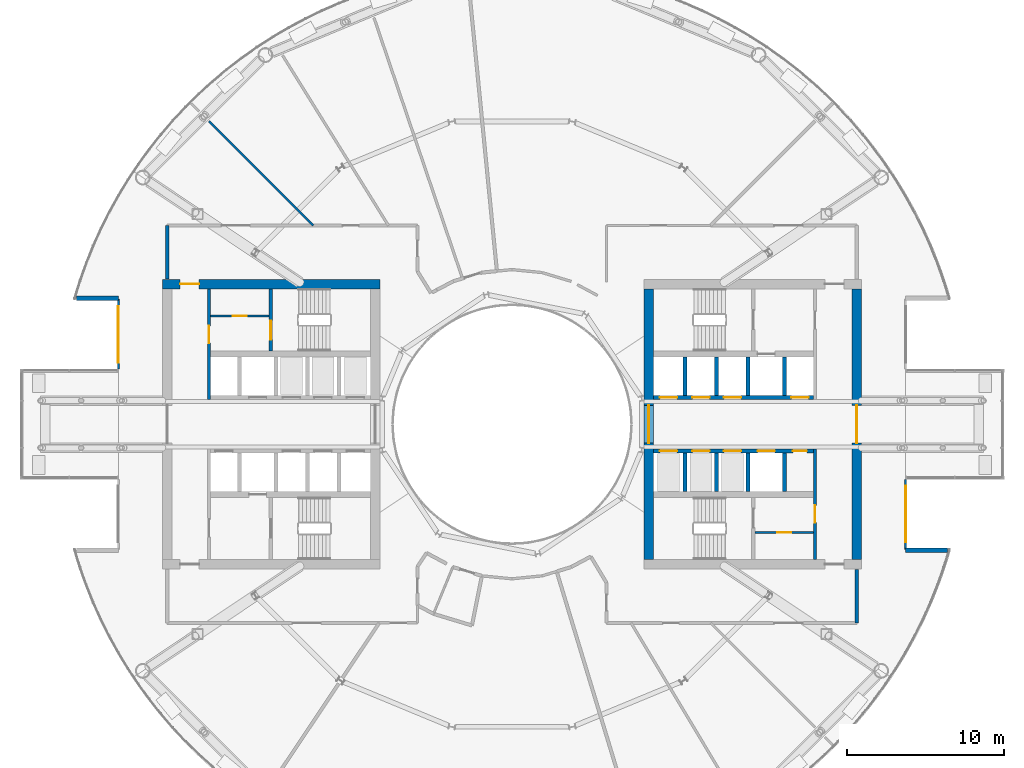
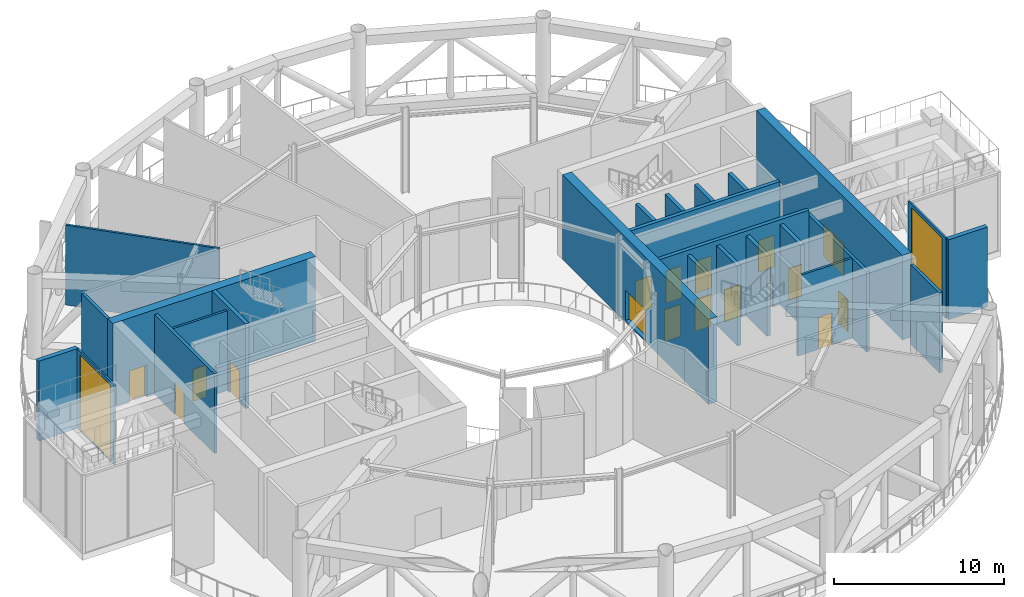
# One storey, part 14 of 25: 25 walls, 16 doors, 3 windows, 19 openings.
"""IFC4 building model written with IfcOpenShell, lengths in metres."""

from ifc_helpers import new_model, si_unit, direction, frame, frame_2d, origin, place, context, subcontext, project, spatial, rectangle, extrude, material, layer, layer_set, type_object, element, fill, save


model = new_model("IFC4")

# Units and contexts
model_context = context("Model", 3, precision=1e-05, world=origin(), true_north=direction((0.0, 1.0)))
body_context = subcontext(model_context, "Body", "Model", "MODEL_VIEW")
ifc_project = project(units=[si_unit("LENGTHUNIT", "METRE"), si_unit("AREAUNIT", "SQUARE_METRE"), si_unit("VOLUMEUNIT", "CUBIC_METRE"), si_unit("PLANEANGLEUNIT", "RADIAN"), si_unit("MASSUNIT", "GRAM", prefix="KILO")], contexts=[model_context])

# Site, building, storey
site_placement = place(None, origin())
site = spatial("IfcSite", under=ifc_project, at=site_placement, CompositionType="ELEMENT")
building_placement = place(site_placement, origin())
building = spatial("IfcBuilding", under=site, at=building_placement, Name="Maasbend Ring Residences", CompositionType="ELEMENT")
storey_placement = place(building_placement, frame((0.0, 0.0, 139.10009765625)))
storey = spatial("IfcBuildingStorey", under=building, at=storey_placement, Name="L40", CompositionType="ELEMENT", Elevation=139.10009765625)

# Wall, openings, doors
ifc_material_1 = material(Name="Concrete C60/75", Category="concrete")
ifc_layer_1 = layer(ifc_material_1, 0.25)
ifc_layer_set_1 = layer_set([ifc_layer_1], Name="Concrete C60/75")
wall_type_1 = type_object("IfcWallType", Name="CORE WALL 250 C60/75", PredefinedType="SHEAR", material=ifc_layer_set_1)
wall_1_placement = place(storey_placement, frame((9.0, 1.699951171875, 0.0), z_axis=(0.0, 0.0, 1.0), x_axis=(1.0, 0.0, 0.0)))
wall_1 = element("IfcWall", 1, at=wall_1_placement, inside=storey, type_object=wall_type_1, Name="L40 core E wall SPN", PredefinedType="SHEAR", context=body_context, shape_type="SweptSolid", body=[
    extrude(rectangle(XDim=10.14990234375, YDim=0.25, at=frame_2d((5.074951171875, 0.0))), origin(), (0.0, 0.0, 1.0), 6.099853515625),
])
opening_1_placement = place(wall_1_placement, frame((0.387451171875, 0.0, 0.0)))
opening_1 = element("IfcOpeningElement", 2, at=opening_1_placement, cuts=wall_1, Name="Opening LD-E4001", PredefinedType="OPENING", context=body_context, shape_type="SweptSolid", body=[
    extrude(rectangle(XDim=1.10009765625, YDim=2.300048828125, at=frame_2d((0.550048828125, 1.14990234375))), frame((0.0, 0.135009765625, 0.0), z_axis=(0.0, -1.0, 0.0), x_axis=(1.0, 0.0, 0.0)), (0.0, 0.0, 1.0), 0.27001953125),
])
opening_2_placement = place(wall_1_placement, frame((2.449951171875, 0.0, 0.0)))
opening_2 = element("IfcOpeningElement", 3, at=opening_2_placement, cuts=wall_1, Name="Opening LD-E4002", PredefinedType="OPENING", context=body_context, shape_type="SweptSolid", body=[
    extrude(rectangle(XDim=1.10009765625, YDim=2.300048828125, at=frame_2d((0.550048828125, 1.14990234375))), frame((0.0, 0.135009765625, 0.0), z_axis=(0.0, -1.0, 0.0), x_axis=(1.0, 0.0, 0.0)), (0.0, 0.0, 1.0), 0.27001953125),
])
opening_3_placement = place(wall_1_placement, frame((4.449951171875, 0.0, 0.0)))
opening_3 = element("IfcOpeningElement", 4, at=opening_3_placement, cuts=wall_1, Name="Opening LD-E4003", PredefinedType="OPENING", context=body_context, shape_type="SweptSolid", body=[
    extrude(rectangle(XDim=1.10009765625, YDim=2.300048828125, at=frame_2d((0.550048828125, 1.14990234375))), frame((0.0, 0.135009765625, 0.0), z_axis=(0.0, -1.0, 0.0), x_axis=(1.0, 0.0, 0.0)), (0.0, 0.0, 1.0), 0.27001953125),
])
opening_4_placement = place(wall_1_placement, frame((8.737548828125, 0.0, 0.0)))
opening_4 = element("IfcOpeningElement", 5, at=opening_4_placement, cuts=wall_1, Name="Opening LD-E4005", PredefinedType="OPENING", context=body_context, shape_type="SweptSolid", body=[
    extrude(rectangle(XDim=1.10009765625, YDim=2.300048828125, at=frame_2d((0.550048828125, 1.14990234375))), frame((0.0, 0.135009765625, 0.0), z_axis=(0.0, -1.0, 0.0), x_axis=(1.0, 0.0, 0.0)), (0.0, 0.0, 1.0), 0.27001953125),
])
ifc_material_2 = material(Name="Stainless steel 316", Category="steel")
door_type_1 = type_object("IfcDoorType", Name="LANDING DOOR 1100 X 2300 FD60", OperationType="DOUBLE_DOOR_SLIDING", PredefinedType="DOOR", material=ifc_material_2)
door_1_placement = place(opening_1_placement, origin())
door_1 = element("IfcDoor", 6, at=door_1_placement, inside=storey, type_object=door_type_1, Name="Landing door LR-E1 L40", OperationType="DOUBLE_DOOR_SLIDING", OverallHeight=2.300048828125, OverallWidth=1.10009765625, PredefinedType="DOOR", context=body_context, shape_type="SweptSolid", body=[
    extrude(rectangle(XDim=1.10009765625, YDim=2.300048828125, at=frame_2d((0.550048828125, 1.14990234375))), frame((0.0, 0.02490234375, 0.0), z_axis=(0.0, -1.0, 0.0), x_axis=(1.0, 0.0, 0.0)), (0.0, 0.0, 1.0), 0.050048828125),
])
fill(opening_1, door_1)
door_2_placement = place(opening_2_placement, origin())
door_2 = element("IfcDoor", 7, at=door_2_placement, inside=storey, type_object=door_type_1, Name="Landing door LR-E2 L40", OperationType="DOUBLE_DOOR_SLIDING", OverallHeight=2.300048828125, OverallWidth=1.10009765625, PredefinedType="DOOR", context=body_context, shape_type="SweptSolid", body=[
    extrude(rectangle(XDim=1.10009765625, YDim=2.300048828125, at=frame_2d((0.550048828125, 1.14990234375))), frame((0.0, 0.02490234375, 0.0), z_axis=(0.0, -1.0, 0.0), x_axis=(1.0, 0.0, 0.0)), (0.0, 0.0, 1.0), 0.050048828125),
])
fill(opening_2, door_2)
door_3_placement = place(opening_3_placement, origin())
door_3 = element("IfcDoor", 8, at=door_3_placement, inside=storey, type_object=door_type_1, Name="Landing door LR-E3 L40", OperationType="DOUBLE_DOOR_SLIDING", OverallHeight=2.300048828125, OverallWidth=1.10009765625, PredefinedType="DOOR", context=body_context, shape_type="SweptSolid", body=[
    extrude(rectangle(XDim=1.10009765625, YDim=2.300048828125, at=frame_2d((0.550048828125, 1.14990234375))), frame((0.0, 0.02490234375, 0.0), z_axis=(0.0, -1.0, 0.0), x_axis=(1.0, 0.0, 0.0)), (0.0, 0.0, 1.0), 0.050048828125),
])
fill(opening_3, door_3)
door_4_placement = place(opening_4_placement, origin())
door_4 = element("IfcDoor", 9, at=door_4_placement, inside=storey, type_object=door_type_1, Name="Landing door SH-E L40", OperationType="DOUBLE_DOOR_SLIDING", OverallHeight=2.300048828125, OverallWidth=1.10009765625, PredefinedType="DOOR", context=body_context, shape_type="SweptSolid", body=[
    extrude(rectangle(XDim=1.10009765625, YDim=2.300048828125, at=frame_2d((0.550048828125, 1.14990234375))), frame((0.0, 0.02490234375, 0.0), z_axis=(0.0, -1.0, 0.0), x_axis=(1.0, 0.0, 0.0)), (0.0, 0.0, 1.0), 0.050048828125),
])
fill(opening_4, door_4)

wall_2_placement = place(storey_placement, frame((19.14990234375, -1.699951171875, 0.0), z_axis=(0.0, 0.0, 1.0), x_axis=(-1.0, 0.0, 0.0)))
wall_2 = element("IfcWall", 10, at=wall_2_placement, inside=storey, type_object=wall_type_1, Name="L40 core E wall SPS", PredefinedType="SHEAR", context=body_context, shape_type="SweptSolid", body=[
    extrude(rectangle(XDim=10.14990234375, YDim=0.25, at=frame_2d((5.074951171875, 0.0))), origin(), (0.0, 0.0, 1.0), 6.099853515625),
])
opening_5_placement = place(wall_2_placement, frame((8.66259765625, 0.0, 0.0)))
opening_5 = element("IfcOpeningElement", 11, at=opening_5_placement, cuts=wall_2, Name="Opening LD-E4006", PredefinedType="OPENING", context=body_context, shape_type="SweptSolid", body=[
    extrude(rectangle(XDim=1.10009765625, YDim=2.300048828125, at=frame_2d((0.550048828125, 1.14990234375))), frame((0.0, 0.135009765625, 0.0), z_axis=(0.0, -1.0, 0.0), x_axis=(1.0, 0.0, 0.0)), (0.0, 0.0, 1.0), 0.27001953125),
])
opening_6_placement = place(wall_2_placement, frame((6.60009765625, 0.0, 0.0)))
opening_6 = element("IfcOpeningElement", 12, at=opening_6_placement, cuts=wall_2, Name="Opening LD-E4007", PredefinedType="OPENING", context=body_context, shape_type="SweptSolid", body=[
    extrude(rectangle(XDim=1.10009765625, YDim=2.300048828125, at=frame_2d((0.550048828125, 1.14990234375))), frame((0.0, 0.135009765625, 0.0), z_axis=(0.0, -1.0, 0.0), x_axis=(1.0, 0.0, 0.0)), (0.0, 0.0, 1.0), 0.27001953125),
])
opening_7_placement = place(wall_2_placement, frame((4.60009765625, 0.0, 0.0)))
opening_7 = element("IfcOpeningElement", 13, at=opening_7_placement, cuts=wall_2, Name="Opening LD-E4008", PredefinedType="OPENING", context=body_context, shape_type="SweptSolid", body=[
    extrude(rectangle(XDim=1.10009765625, YDim=2.300048828125, at=frame_2d((0.550048828125, 1.14990234375))), frame((0.0, 0.135009765625, 0.0), z_axis=(0.0, -1.0, 0.0), x_axis=(1.0, 0.0, 0.0)), (0.0, 0.0, 1.0), 0.27001953125),
])
opening_8_placement = place(wall_2_placement, frame((2.449951171875, 0.0, 0.0)))
opening_8 = element("IfcOpeningElement", 14, at=opening_8_placement, cuts=wall_2, Name="Opening LD-E4009", PredefinedType="OPENING", context=body_context, shape_type="SweptSolid", body=[
    extrude(rectangle(XDim=1.10009765625, YDim=2.300048828125, at=frame_2d((0.550048828125, 1.14990234375))), frame((0.0, 0.135009765625, 0.0), z_axis=(0.0, -1.0, 0.0), x_axis=(1.0, 0.0, 0.0)), (0.0, 0.0, 1.0), 0.27001953125),
])
opening_9_placement = place(wall_2_placement, frame((0.41259765625, 0.0, 0.0)))
opening_9 = element("IfcOpeningElement", 15, at=opening_9_placement, cuts=wall_2, Name="Opening D-E4010", PredefinedType="OPENING", context=body_context, shape_type="SweptSolid", body=[
    extrude(rectangle(XDim=0.89990234375, YDim=2.300048828125, at=frame_2d((0.449951171875, 1.14990234375))), frame((0.0, 0.135009765625, 0.0), z_axis=(0.0, -1.0, 0.0), x_axis=(1.0, 0.0, 0.0)), (0.0, 0.0, 1.0), 0.27001953125),
])
door_5_placement = place(opening_5_placement, origin())
door_5 = element("IfcDoor", 16, at=door_5_placement, inside=storey, type_object=door_type_1, Name="Landing door HR-E1 L40", OperationType="DOUBLE_DOOR_SLIDING", OverallHeight=2.300048828125, OverallWidth=1.10009765625, PredefinedType="DOOR", context=body_context, shape_type="SweptSolid", body=[
    extrude(rectangle(XDim=1.10009765625, YDim=2.300048828125, at=frame_2d((0.550048828125, 1.14990234375))), frame((0.0, 0.02490234375, 0.0), z_axis=(0.0, -1.0, 0.0), x_axis=(1.0, 0.0, 0.0)), (0.0, 0.0, 1.0), 0.050048828125),
])
fill(opening_5, door_5)
door_6_placement = place(opening_6_placement, origin())
door_6 = element("IfcDoor", 17, at=door_6_placement, inside=storey, type_object=door_type_1, Name="Landing door HR-E2 L40", OperationType="DOUBLE_DOOR_SLIDING", OverallHeight=2.300048828125, OverallWidth=1.10009765625, PredefinedType="DOOR", context=body_context, shape_type="SweptSolid", body=[
    extrude(rectangle(XDim=1.10009765625, YDim=2.300048828125, at=frame_2d((0.550048828125, 1.14990234375))), frame((0.0, 0.02490234375, 0.0), z_axis=(0.0, -1.0, 0.0), x_axis=(1.0, 0.0, 0.0)), (0.0, 0.0, 1.0), 0.050048828125),
])
fill(opening_6, door_6)
door_7_placement = place(opening_7_placement, origin())
door_7 = element("IfcDoor", 18, at=door_7_placement, inside=storey, type_object=door_type_1, Name="Landing door HR-E3 L40", OperationType="DOUBLE_DOOR_SLIDING", OverallHeight=2.300048828125, OverallWidth=1.10009765625, PredefinedType="DOOR", context=body_context, shape_type="SweptSolid", body=[
    extrude(rectangle(XDim=1.10009765625, YDim=2.300048828125, at=frame_2d((0.550048828125, 1.14990234375))), frame((0.0, 0.02490234375, 0.0), z_axis=(0.0, -1.0, 0.0), x_axis=(1.0, 0.0, 0.0)), (0.0, 0.0, 1.0), 0.050048828125),
])
fill(opening_7, door_7)
door_8_placement = place(opening_8_placement, origin())
door_8 = element("IfcDoor", 19, at=door_8_placement, inside=storey, type_object=door_type_1, Name="Landing door SV-E L40", OperationType="DOUBLE_DOOR_SLIDING", OverallHeight=2.300048828125, OverallWidth=1.10009765625, PredefinedType="DOOR", context=body_context, shape_type="SweptSolid", body=[
    extrude(rectangle(XDim=1.10009765625, YDim=2.300048828125, at=frame_2d((0.550048828125, 1.14990234375))), frame((0.0, 0.02490234375, 0.0), z_axis=(0.0, -1.0, 0.0), x_axis=(1.0, 0.0, 0.0)), (0.0, 0.0, 1.0), 0.050048828125),
])
fill(opening_8, door_8)
ifc_material_3 = material(Name="Steel, powder coated", Category="steel")
door_type_2 = type_object("IfcDoorType", Name="ROOM DOOR 900 X 2300 FD30S", OperationType="NOTDEFINED", PredefinedType="DOOR", material=ifc_material_3)
door_9_placement = place(opening_9_placement, origin())
door_9 = element("IfcDoor", 20, at=door_9_placement, inside=storey, type_object=door_type_2, Name="Room door L40", OperationType="SINGLE_SWING_RIGHT", OverallHeight=2.300048828125, OverallWidth=0.89990234375, PredefinedType="DOOR", context=body_context, shape_type="SweptSolid", body=[
    extrude(rectangle(XDim=0.89990234375, YDim=2.300048828125, at=frame_2d((0.449951171875, 1.14990234375))), frame((0.0, 0.02490234375, 0.0), z_axis=(0.0, -1.0, 0.0), x_axis=(1.0, 0.0, 0.0)), (0.0, 0.0, 1.0), 0.050048828125),
])
fill(opening_9, door_9)

# Wall, opening, door
wall_3_placement = place(storey_placement, frame((-15.324951171875, 8.60009765625, 0.0), z_axis=(0.0, 0.0, 1.0), x_axis=(0.0, -1.0, 0.0)))
wall_3 = element("IfcWall", 21, at=wall_3_placement, inside=storey, type_object=wall_type_1, Name="L40 core W wall STES", PredefinedType="SHEAR", context=body_context, shape_type="SweptSolid", body=[
    extrude(rectangle(XDim=3.9501953125, YDim=0.25, at=frame_2d((1.97509765625, 0.0))), origin(), (0.0, 0.0, 1.0), 6.099853515625),
])
opening_10_placement = place(wall_3_placement, frame((2.02490234375, 0.0, 0.0)))
opening_10 = element("IfcOpeningElement", 22, at=opening_10_placement, cuts=wall_3, Name="Opening D-W4012", PredefinedType="OPENING", context=body_context, shape_type="SweptSolid", body=[
    extrude(rectangle(XDim=1.199951171875, YDim=2.300048828125, at=frame_2d((0.60009765625, 1.14990234375))), frame((0.0, 0.135009765625, 0.0), z_axis=(0.0, -1.0, 0.0), x_axis=(1.0, 0.0, 0.0)), (0.0, 0.0, 1.0), 0.27001953125),
])
ifc_material_4 = material(Name="Steel, powder coated", Category="steel")
door_type_3 = type_object("IfcDoorType", Name="STAIR DOOR 1200 X 2300 FD60", OperationType="NOTDEFINED", PredefinedType="DOOR", material=ifc_material_4)
door_10_placement = place(opening_10_placement, origin())
door_10 = element("IfcDoor", 23, at=door_10_placement, inside=storey, type_object=door_type_3, Name="Stair door ST-W L40", OperationType="SINGLE_SWING_LEFT", OverallHeight=2.300048828125, OverallWidth=1.199951171875, PredefinedType="DOOR", context=body_context, shape_type="SweptSolid", body=[
    extrude(rectangle(XDim=1.199951171875, YDim=2.300048828125, at=frame_2d((0.60009765625, 1.14990234375))), frame((0.0, 0.02490234375, 0.0), z_axis=(0.0, -1.0, 0.0), x_axis=(1.0, 0.0, 0.0)), (0.0, 0.0, 1.0), 0.050048828125),
])
fill(opening_10, door_10)

ifc_material_5 = material(Name="Concrete C60/75", Category="concrete")
ifc_layer_2 = layer(ifc_material_5, 0.60009765625)
ifc_layer_set_2 = layer_set([ifc_layer_2], Name="Concrete C60/75")
wall_type_2 = type_object("IfcWallType", Name="CORE WALL 600 C60/75", PredefinedType="SHEAR", material=ifc_layer_set_2)
wall_4_placement = place(storey_placement, frame((21.89990234375, 8.60009765625, 0.0), z_axis=(0.0, 0.0, 1.0), x_axis=(0.0, -1.0, 0.0)))
wall_4 = element("IfcWall", 24, at=wall_4_placement, inside=storey, type_object=wall_type_2, Name="L40 core E wall POUT", PredefinedType="SHEAR", context=body_context, shape_type="SweptSolid", body=[
    extrude(rectangle(XDim=17.2001953125, YDim=0.60009765625, at=frame_2d((8.60009765625, 0.0))), origin(), (0.0, 0.0, 1.0), 6.099853515625),
])
opening_11_placement = place(wall_4_placement, frame((7.39990234375, 0.0, 0.0)))
opening_11 = element("IfcOpeningElement", 25, at=opening_11_placement, cuts=wall_4, Name="Opening D-E4018", PredefinedType="OPENING", context=body_context, shape_type="SweptSolid", body=[
    extrude(rectangle(XDim=2.39990234375, YDim=2.300048828125, at=frame_2d((1.199951171875, 1.14990234375))), frame((0.0, 0.31005859375, 0.0), z_axis=(0.0, -1.0, 0.0), x_axis=(1.0, 0.0, 0.0)), (0.0, 0.0, 1.0), 0.6201171875),
])
ifc_material_6 = material(Name="Aluminium frame, clear glass", Category="aluminium")
door_type_4 = type_object("IfcDoorType", Name="ENTRANCE DOOR 2400 X 2300 FD60", OperationType="NOTDEFINED", PredefinedType="DOOR", material=ifc_material_6)
door_11_placement = place(opening_11_placement, origin())
door_11 = element("IfcDoor", 26, at=door_11_placement, inside=storey, type_object=door_type_4, Name="Lobby glazed door L40", OperationType="SINGLE_SWING_LEFT", OverallHeight=2.300048828125, OverallWidth=2.39990234375, PredefinedType="DOOR", context=body_context, shape_type="SweptSolid", body=[
    extrude(rectangle(XDim=2.39990234375, YDim=2.300048828125, at=frame_2d((1.199951171875, 1.14990234375))), frame((0.0, 0.02490234375, 0.0), z_axis=(0.0, -1.0, 0.0), x_axis=(1.0, 0.0, 0.0)), (0.0, 0.0, 1.0), 0.050048828125),
])
fill(opening_11, door_11)

# Wall, opening, window
wall_5_placement = place(storey_placement, frame((8.699951171875, -8.60009765625, 0.0), z_axis=(0.0, 0.0, 1.0), x_axis=(0.0, 1.0, 0.0)))
wall_5 = element("IfcWall", 27, at=wall_5_placement, inside=storey, type_object=wall_type_2, Name="L40 core E wall PIN", PredefinedType="SHEAR", context=body_context, shape_type="SweptSolid", body=[
    extrude(rectangle(XDim=17.2001953125, YDim=0.60009765625, at=frame_2d((8.60009765625, 0.0))), origin(), (0.0, 0.0, 1.0), 6.099853515625),
])
opening_12_placement = place(wall_5_placement, frame((7.39990234375, 0.0, 0.10009765625)))
opening_12 = element("IfcOpeningElement", 28, at=opening_12_placement, cuts=wall_5, Name="Opening W-E4001", PredefinedType="OPENING", context=body_context, shape_type="SweptSolid", body=[
    extrude(rectangle(XDim=2.39990234375, YDim=2.199951171875, at=frame_2d((1.199951171875, 1.10009765625))), frame((0.0, 0.31005859375, 0.0), z_axis=(0.0, -1.0, 0.0), x_axis=(1.0, 0.0, 0.0)), (0.0, 0.0, 1.0), 0.6201171875),
])
ifc_material_7 = material(Name="Aluminium frame and clear glass", Category="aluminium")
window_type_1 = type_object("IfcWindowType", Name="FIXED WINDOW 2400 X 2200", PartitioningType="SINGLE_PANEL", PredefinedType="WINDOW", material=ifc_material_7)
window_1_placement = place(opening_12_placement, origin())
window_1 = element("IfcWindow", 29, at=window_1_placement, inside=storey, type_object=window_type_1, Name="Lobby window L40", OverallHeight=2.199951171875, OverallWidth=2.39990234375, PartitioningType="SINGLE_PANEL", PredefinedType="WINDOW", context=body_context, shape_type="SweptSolid", body=[
    extrude(rectangle(XDim=2.39990234375, YDim=2.199951171875, at=frame_2d((1.199951171875, 1.10009765625))), frame((0.0, 0.030029296875, 0.0), z_axis=(0.0, -1.0, 0.0), x_axis=(1.0, 0.0, 0.0)), (0.0, 0.0, 1.0), 0.06005859375),
])
fill(opening_12, window_1)

# Wall, opening, door
wall_6_placement = place(storey_placement, frame((-8.39990234375, 8.89990234375, 0.0), z_axis=(0.0, 0.0, 1.0), x_axis=(-1.0, 0.0, 0.0)))
wall_6 = element("IfcWall", 30, at=wall_6_placement, inside=storey, type_object=wall_type_2, Name="L40 core W wall PS", PredefinedType="SHEAR", context=body_context, shape_type="SweptSolid", body=[
    extrude(rectangle(XDim=13.800048828125, YDim=0.60009765625, at=frame_2d((6.89990234375, 0.0))), origin(), (0.0, 0.0, 1.0), 6.099853515625),
])
opening_13_placement = place(wall_6_placement, frame((11.47509765625, 0.0, 0.0)))
opening_13 = element("IfcOpeningElement", 31, at=opening_13_placement, cuts=wall_6, Name="Opening D-W4016", PredefinedType="OPENING", context=body_context, shape_type="SweptSolid", body=[
    extrude(rectangle(XDim=1.199951171875, YDim=2.300048828125, at=frame_2d((0.60009765625, 1.14990234375))), frame((0.0, 0.31005859375, 0.0), z_axis=(0.0, -1.0, 0.0), x_axis=(1.0, 0.0, 0.0)), (0.0, 0.0, 1.0), 0.6201171875),
])
ifc_material_8 = material(Name="Steel, powder coated", Category="steel")
door_type_5 = type_object("IfcDoorType", Name="CORRIDOR DOOR 1200 X 2300 FD30S", OperationType="NOTDEFINED", PredefinedType="DOOR", material=ifc_material_8)
door_12_placement = place(opening_13_placement, origin())
door_12 = element("IfcDoor", 32, at=door_12_placement, inside=storey, type_object=door_type_5, Name="Corridor door L40", OperationType="SINGLE_SWING_LEFT", OverallHeight=2.300048828125, OverallWidth=1.199951171875, PredefinedType="DOOR", context=body_context, shape_type="SweptSolid", body=[
    extrude(rectangle(XDim=1.199951171875, YDim=2.300048828125, at=frame_2d((0.60009765625, 1.14990234375))), frame((0.0, 0.02490234375, 0.0), z_axis=(0.0, -1.0, 0.0), x_axis=(1.0, 0.0, 0.0)), (0.0, 0.0, 1.0), 0.050048828125),
])
fill(opening_13, door_12)

# Walls
ifc_material_9 = material(Name="Concrete C30/37", Category="concrete")
ifc_layer_3 = layer(ifc_material_9, 0.199951171875)
ifc_layer_set_3 = layer_set([ifc_layer_3], Name="Concrete C30/37")
wall_type_3 = type_object("IfcWallType", Name="CORRIDOR WALL 200 CONCRETE", PredefinedType="PARTITIONING", material=ifc_layer_set_3)
for number, where, z_axis, x_axis, name in (
    (33, (21.89990234375, -12.6201171875, 0.0), (0.0, 0.0, 1.0), (0.0, 1.0, 0.0), "U-L40-w001"),
    (34, (-21.89990234375, 9.219970703125, 0.0), (0.0, 0.0, 1.0), (0.0, 1.0, 0.0), "U-L40-w051"),
):
    element("IfcWall", number, at=place(storey_placement, frame(where, z_axis=z_axis, x_axis=x_axis)), inside=storey, type_object=wall_type_3, Name=name, PredefinedType="PARTITIONING", context=body_context, shape_type="SweptSolid", body=[
        extrude(rectangle(XDim=3.400146484375, YDim=0.199951171875, at=frame_2d((1.7001953125, 0.0))), origin(), (0.0, 0.0, 1.0), 5.75),
    ])
ifc_material_10 = material(Name="Aluminium clad insulated panel", Category="aluminium")
ifc_layer_4 = layer(ifc_material_10, 0.300048828125)
ifc_layer_set_4 = layer_set([ifc_layer_4], Name="EW-RET")
wall_type_4 = type_object("IfcWallType", Name="EW-RET", PredefinedType="SOLIDWALL", material=ifc_layer_set_4)
for number, where, z_axis, x_axis, name in (
    (35, (25.0, -8.0, 0.0), (0.0, 0.0, 1.0), (1.0, 0.0, 0.0), "Notch return wall east south"),
    (36, (-25.0, 8.0, 0.0), (0.0, 0.0, 1.0), (-1.0, 0.0, 0.0), "Notch return wall west north"),
):
    element("IfcWall", number, at=place(storey_placement, frame(where, z_axis=z_axis, x_axis=x_axis)), inside=storey, type_object=wall_type_4, Name=name, PredefinedType="SOLIDWALL", context=body_context, shape_type="SweptSolid", body=[
        extrude(rectangle(XDim=2.6669921875, YDim=0.300048828125, at=frame_2d((1.33349609375, 0.0))), origin(), (0.0, 0.0, 1.0), 5.75),
    ])

# Wall, opening, window
ifc_material_11 = material(Name="Aluminium frame and clear glass", Category="aluminium")
ifc_layer_5 = layer(ifc_material_11, 0.1201171875)
ifc_layer_set_5 = layer_set([ifc_layer_5], Name="GLAZED SCREEN WALL 120 EI 60")
wall_type_5 = type_object("IfcWallType", Name="GLAZED SCREEN WALL 120 EI 60", PredefinedType="PARTITIONING", material=ifc_layer_set_5)
wall_7_placement = place(storey_placement, frame((25.0, -3.5, 0.0), z_axis=(0.0, 0.0, 1.0), x_axis=(0.0, -1.0, 0.0)))
wall_7 = element("IfcWall", 37, at=wall_7_placement, inside=storey, type_object=wall_type_5, Name="L40 core E wall FACEA", PredefinedType="PARTITIONING", context=body_context, shape_type="SweptSolid", body=[
    extrude(rectangle(XDim=4.449951171875, YDim=0.1201171875, at=frame_2d((2.22509765625, 0.0))), origin(), (0.0, 0.0, 1.0), 5.75),
])
opening_14_placement = place(wall_7_placement, frame((0.39990234375, 0.0, 0.10009765625)))
opening_14 = element("IfcOpeningElement", 38, at=opening_14_placement, cuts=wall_7, Name="Opening W-E4002", PredefinedType="OPENING", context=body_context, shape_type="SweptSolid", body=[
    extrude(rectangle(XDim=3.60009765625, YDim=5.39990234375, at=frame_2d((1.800048828125, 2.699951171875))), frame((0.0, 0.070068359375, 0.0), z_axis=(0.0, -1.0, 0.0), x_axis=(1.0, 0.0, 0.0)), (0.0, 0.0, 1.0), 0.14013671875),
])
ifc_material_12 = material(Name="Aluminium frame and clear glass", Category="aluminium")
window_type_2 = type_object("IfcWindowType", Name="FIXED WINDOW 3600 X 5400", PartitioningType="SINGLE_PANEL", PredefinedType="WINDOW", material=ifc_material_12)
window_2_placement = place(opening_14_placement, origin())
window_2 = element("IfcWindow", 39, at=window_2_placement, inside=storey, type_object=window_type_2, Name="Lobby window L40", OverallHeight=5.39990234375, OverallWidth=3.60009765625, PartitioningType="SINGLE_PANEL", PredefinedType="WINDOW", context=body_context, shape_type="SweptSolid", body=[
    extrude(rectangle(XDim=3.60009765625, YDim=5.39990234375, at=frame_2d((1.800048828125, 2.699951171875))), frame((0.0, 0.030029296875, 0.0), z_axis=(0.0, -1.0, 0.0), x_axis=(1.0, 0.0, 0.0)), (0.0, 0.0, 1.0), 0.06005859375),
])
fill(opening_14, window_2)

wall_8_placement = place(storey_placement, frame((-25.0, 3.5, 0.0), z_axis=(0.0, 0.0, 1.0), x_axis=(0.0, 1.0, 0.0)))
wall_8 = element("IfcWall", 40, at=wall_8_placement, inside=storey, type_object=wall_type_5, Name="L40 core W wall FACEA", PredefinedType="PARTITIONING", context=body_context, shape_type="SweptSolid", body=[
    extrude(rectangle(XDim=4.449951171875, YDim=0.1201171875, at=frame_2d((2.22509765625, 0.0))), origin(), (0.0, 0.0, 1.0), 5.75),
])
opening_15_placement = place(wall_8_placement, frame((0.39990234375, 0.0, 0.10009765625)))
opening_15 = element("IfcOpeningElement", 41, at=opening_15_placement, cuts=wall_8, Name="Opening W-W4002", PredefinedType="OPENING", context=body_context, shape_type="SweptSolid", body=[
    extrude(rectangle(XDim=3.60009765625, YDim=5.39990234375, at=frame_2d((1.800048828125, 2.699951171875))), frame((0.0, 0.070068359375, 0.0), z_axis=(0.0, -1.0, 0.0), x_axis=(1.0, 0.0, 0.0)), (0.0, 0.0, 1.0), 0.14013671875),
])
window_3_placement = place(opening_15_placement, origin())
window_3 = element("IfcWindow", 42, at=window_3_placement, inside=storey, type_object=window_type_2, Name="Lobby window L40", OverallHeight=5.39990234375, OverallWidth=3.60009765625, PartitioningType="SINGLE_PANEL", PredefinedType="WINDOW", context=body_context, shape_type="SweptSolid", body=[
    extrude(rectangle(XDim=3.60009765625, YDim=5.39990234375, at=frame_2d((1.800048828125, 2.699951171875))), frame((0.0, 0.030029296875, 0.0), z_axis=(0.0, -1.0, 0.0), x_axis=(1.0, 0.0, 0.0)), (0.0, 0.0, 1.0), 0.06005859375),
])
fill(opening_15, window_3)

# Wall, opening, door
ifc_material_13 = material(Name="Gypsum board on steel studs", Category="steel")
ifc_layer_6 = layer(ifc_material_13, 0.14990234375)
ifc_layer_set_6 = layer_set([ifc_layer_6], Name="PARTITION 150 EI 60")
wall_type_6 = type_object("IfcWallType", Name="PARTITION 150 EI 60", PredefinedType="PARTITIONING", material=ifc_layer_set_6)
wall_9_placement = place(storey_placement, frame((15.449951171875, -6.875, 0.0), z_axis=(0.0, 0.0, 1.0), x_axis=(1.0, 0.0, 0.0)))
wall_9 = element("IfcWall", 43, at=wall_9_placement, inside=storey, type_object=wall_type_6, Name="L40 core E wall RHS", PredefinedType="PARTITIONING", context=body_context, shape_type="SweptSolid", body=[
    extrude(rectangle(XDim=3.699951171875, YDim=0.14990234375, at=frame_2d((1.85009765625, 0.0))), origin(), (0.0, 0.0, 1.0), 5.75),
])
opening_16_placement = place(wall_9_placement, frame((1.39990234375, 0.0, 0.0)))
opening_16 = element("IfcOpeningElement", 44, at=opening_16_placement, cuts=wall_9, Name="Opening D-E4011", PredefinedType="OPENING", context=body_context, shape_type="SweptSolid", body=[
    extrude(rectangle(XDim=0.89990234375, YDim=2.300048828125, at=frame_2d((0.449951171875, 1.14990234375))), frame((0.0, 0.0849609375, 0.0), z_axis=(0.0, -1.0, 0.0), x_axis=(1.0, 0.0, 0.0)), (0.0, 0.0, 1.0), 0.169921875),
])
ifc_material_14 = material(Name="Steel, powder coated", Category="steel")
door_type_6 = type_object("IfcDoorType", Name="RISER DOOR 900 X 2300 FD60", OperationType="NOTDEFINED", PredefinedType="DOOR", material=ifc_material_14)
door_13_placement = place(opening_16_placement, origin())
door_13 = element("IfcDoor", 45, at=door_13_placement, inside=storey, type_object=door_type_6, Name="Riser door L40", OperationType="SINGLE_SWING_LEFT", OverallHeight=2.300048828125, OverallWidth=0.89990234375, PredefinedType="DOOR", context=body_context, shape_type="SweptSolid", body=[
    extrude(rectangle(XDim=0.89990234375, YDim=2.300048828125, at=frame_2d((0.449951171875, 1.14990234375))), frame((0.0, 0.02490234375, 0.0), z_axis=(0.0, -1.0, 0.0), x_axis=(1.0, 0.0, 0.0)), (0.0, 0.0, 1.0), 0.050048828125),
])
fill(opening_16, door_13)

wall_10_placement = place(storey_placement, frame((-15.449951171875, 6.875, 0.0), z_axis=(0.0, 0.0, 1.0), x_axis=(-1.0, 0.0, 0.0)))
wall_10 = element("IfcWall", 46, at=wall_10_placement, inside=storey, type_object=wall_type_6, Name="L40 core W wall RHS", PredefinedType="PARTITIONING", context=body_context, shape_type="SweptSolid", body=[
    extrude(rectangle(XDim=3.699951171875, YDim=0.14990234375, at=frame_2d((1.85009765625, 0.0))), origin(), (0.0, 0.0, 1.0), 5.75),
])
opening_17_placement = place(wall_10_placement, frame((1.39990234375, 0.0, 0.0)))
opening_17 = element("IfcOpeningElement", 47, at=opening_17_placement, cuts=wall_10, Name="Opening D-W4010", PredefinedType="OPENING", context=body_context, shape_type="SweptSolid", body=[
    extrude(rectangle(XDim=0.89990234375, YDim=2.300048828125, at=frame_2d((0.449951171875, 1.14990234375))), frame((0.0, 0.0849609375, 0.0), z_axis=(0.0, -1.0, 0.0), x_axis=(1.0, 0.0, 0.0)), (0.0, 0.0, 1.0), 0.169921875),
])
door_14_placement = place(opening_17_placement, origin())
door_14 = element("IfcDoor", 48, at=door_14_placement, inside=storey, type_object=door_type_6, Name="Riser door L40", OperationType="SINGLE_SWING_LEFT", OverallHeight=2.300048828125, OverallWidth=0.89990234375, PredefinedType="DOOR", context=body_context, shape_type="SweptSolid", body=[
    extrude(rectangle(XDim=0.89990234375, YDim=2.300048828125, at=frame_2d((0.449951171875, 1.14990234375))), frame((0.0, 0.02490234375, 0.0), z_axis=(0.0, -1.0, 0.0), x_axis=(1.0, 0.0, 0.0)), (0.0, 0.0, 1.0), 0.050048828125),
])
fill(opening_17, door_14)

# Wall
ifc_material_15 = material(Name="Gypsum board on steel studs", Category="steel")
ifc_layer_7 = layer(ifc_material_15, 0.14990234375)
ifc_layer_set_7 = layer_set([ifc_layer_7], Name="PARTITION 150 GYPSUM")
wall_type_7 = type_object("IfcWallType", Name="PARTITION 150 GYPSUM", PredefinedType="PARTITIONING", material=ifc_layer_set_7)
wall_11_placement = place(storey_placement, frame((-19.239013671875, 19.239013671875, 0.0), z_axis=(0.0, 0.0, 1.0), x_axis=(0.707106781187, -0.707106781187, 0.0)))
element("IfcWall", 49, at=wall_11_placement, inside=storey, type_object=wall_type_7, Name="U-L40-w020", PredefinedType="PARTITIONING", context=body_context, shape_type="SweptSolid", body=[
    extrude(rectangle(XDim=9.360595703125, YDim=0.14990234375, at=frame_2d((4.68017578125, 0.0))), origin(), (0.0, 0.0, 1.0), 5.75),
])

# Wall, opening, door
ifc_material_16 = material(Name="Concrete C30/37", Category="concrete")
ifc_layer_8 = layer(ifc_material_16, 0.199951171875)
ifc_layer_set_8 = layer_set([ifc_layer_8], Name="Concrete C30/37")
wall_type_8 = type_object("IfcWallType", Name="SHAFT WALL 200 EI 120", PredefinedType="SOLIDWALL", material=ifc_layer_set_8)
wall_12_placement = place(storey_placement, frame((19.25, -8.60009765625, 0.0), z_axis=(0.0, 0.0, 1.0), x_axis=(0.0, 1.0, 0.0)))
wall_12 = element("IfcWall", 50, at=wall_12_placement, inside=storey, type_object=wall_type_8, Name="L40 core E wall ENDS", PredefinedType="SOLIDWALL", context=body_context, shape_type="SweptSolid", body=[
    extrude(rectangle(XDim=7.025146484375, YDim=0.199951171875, at=frame_2d((3.5126953125, 0.0))), origin(), (0.0, 0.0, 1.0), 5.75),
])
opening_18_placement = place(wall_12_placement, frame((2.35009765625, 0.0, 0.0)))
opening_18 = element("IfcOpeningElement", 51, at=opening_18_placement, cuts=wall_12, Name="Opening D-E4015", PredefinedType="OPENING", context=body_context, shape_type="SweptSolid", body=[
    extrude(rectangle(XDim=1.10009765625, YDim=2.300048828125, at=frame_2d((0.550048828125, 1.14990234375))), frame((0.0, 0.10986328125, 0.0), z_axis=(0.0, -1.0, 0.0), x_axis=(1.0, 0.0, 0.0)), (0.0, 0.0, 1.0), 0.219970703125),
])
ifc_material_17 = material(Name="Steel, powder coated", Category="steel")
door_type_7 = type_object("IfcDoorType", Name="LOBBY DOOR 1100 X 2300 FD60", OperationType="NOTDEFINED", PredefinedType="DOOR", material=ifc_material_17)
door_15_placement = place(opening_18_placement, origin())
door_15 = element("IfcDoor", 52, at=door_15_placement, inside=storey, type_object=door_type_7, Name="Lobby door L40", OperationType="SINGLE_SWING_RIGHT", OverallHeight=2.300048828125, OverallWidth=1.10009765625, PredefinedType="DOOR", context=body_context, shape_type="SweptSolid", body=[
    extrude(rectangle(XDim=1.10009765625, YDim=2.300048828125, at=frame_2d((0.550048828125, 1.14990234375))), frame((0.0, 0.02490234375, 0.0), z_axis=(0.0, -1.0, 0.0), x_axis=(1.0, 0.0, 0.0)), (0.0, 0.0, 1.0), 0.050048828125),
])
fill(opening_18, door_15)

wall_13_placement = place(storey_placement, frame((-19.25, 8.60009765625, 0.0), z_axis=(0.0, 0.0, 1.0), x_axis=(0.0, -1.0, 0.0)))
wall_13 = element("IfcWall", 53, at=wall_13_placement, inside=storey, type_object=wall_type_8, Name="L40 core W wall ENDS", PredefinedType="SOLIDWALL", context=body_context, shape_type="SweptSolid", body=[
    extrude(rectangle(XDim=7.025146484375, YDim=0.199951171875, at=frame_2d((3.5126953125, 0.0))), origin(), (0.0, 0.0, 1.0), 5.75),
])
opening_19_placement = place(wall_13_placement, frame((2.35009765625, 0.0, 0.0)))
opening_19 = element("IfcOpeningElement", 54, at=opening_19_placement, cuts=wall_13, Name="Opening D-W4014", PredefinedType="OPENING", context=body_context, shape_type="SweptSolid", body=[
    extrude(rectangle(XDim=1.10009765625, YDim=2.300048828125, at=frame_2d((0.550048828125, 1.14990234375))), frame((0.0, 0.10986328125, 0.0), z_axis=(0.0, -1.0, 0.0), x_axis=(1.0, 0.0, 0.0)), (0.0, 0.0, 1.0), 0.219970703125),
])
door_16_placement = place(opening_19_placement, origin())
door_16 = element("IfcDoor", 55, at=door_16_placement, inside=storey, type_object=door_type_7, Name="Lobby door L40", OperationType="SINGLE_SWING_RIGHT", OverallHeight=2.300048828125, OverallWidth=1.10009765625, PredefinedType="DOOR", context=body_context, shape_type="SweptSolid", body=[
    extrude(rectangle(XDim=1.10009765625, YDim=2.300048828125, at=frame_2d((0.550048828125, 1.14990234375))), frame((0.0, 0.02490234375, 0.0), z_axis=(0.0, -1.0, 0.0), x_axis=(1.0, 0.0, 0.0)), (0.0, 0.0, 1.0), 0.050048828125),
])
fill(opening_19, door_16)

# Walls
ifc_material_18 = material(Name="Concrete C30/37", Category="concrete")
ifc_layer_9 = layer(ifc_material_18, 0.25)
ifc_layer_set_9 = layer_set([ifc_layer_9], Name="Concrete C30/37")
wall_type_9 = type_object("IfcWallType", Name="SHAFT WALL 250 EI 120", PredefinedType="SOLIDWALL", material=ifc_layer_set_9)
for number, where, z_axis, x_axis, name in (
    (56, (15.0, 1.824951171875, 0.0), (0.0, 0.0, 1.0), (0.0, 1.0, 0.0), "L40 core E wall D150N"),
    (57, (17.300048828125, 1.824951171875, 0.0), (0.0, 0.0, 1.0), (0.0, 1.0, 0.0), "L40 core E wall D173N"),
    (58, (15.0, -1.824951171875, 0.0), (0.0, 0.0, 1.0), (0.0, -1.0, 0.0), "L40 core E wall D150S"),
    (59, (17.300048828125, -1.824951171875, 0.0), (0.0, 0.0, 1.0), (0.0, -1.0, 0.0), "L40 core E wall D173S"),
    (60, (11.0, 1.824951171875, 0.0), (0.0, 0.0, 1.0), (0.0, 1.0, 0.0), "L40 core E wall D110N"),
    (61, (13.0, 1.824951171875, 0.0), (0.0, 0.0, 1.0), (0.0, 1.0, 0.0), "L40 core E wall D130N"),
    (62, (11.0, -1.824951171875, 0.0), (0.0, 0.0, 1.0), (0.0, -1.0, 0.0), "L40 core E wall D110S"),
    (63, (13.0, -1.824951171875, 0.0), (0.0, 0.0, 1.0), (0.0, -1.0, 0.0), "L40 core E wall D130S"),
):
    element("IfcWall", number, at=place(storey_placement, frame(where, z_axis=z_axis, x_axis=x_axis)), inside=storey, type_object=wall_type_9, Name=name, PredefinedType="SOLIDWALL", context=body_context, shape_type="SweptSolid", body=[
        extrude(rectangle(XDim=2.449951171875, YDim=0.25, at=frame_2d((1.22509765625, 0.0))), origin(), (0.0, 0.0, 1.0), 5.75),
    ])

save(model, "model.ifc")
